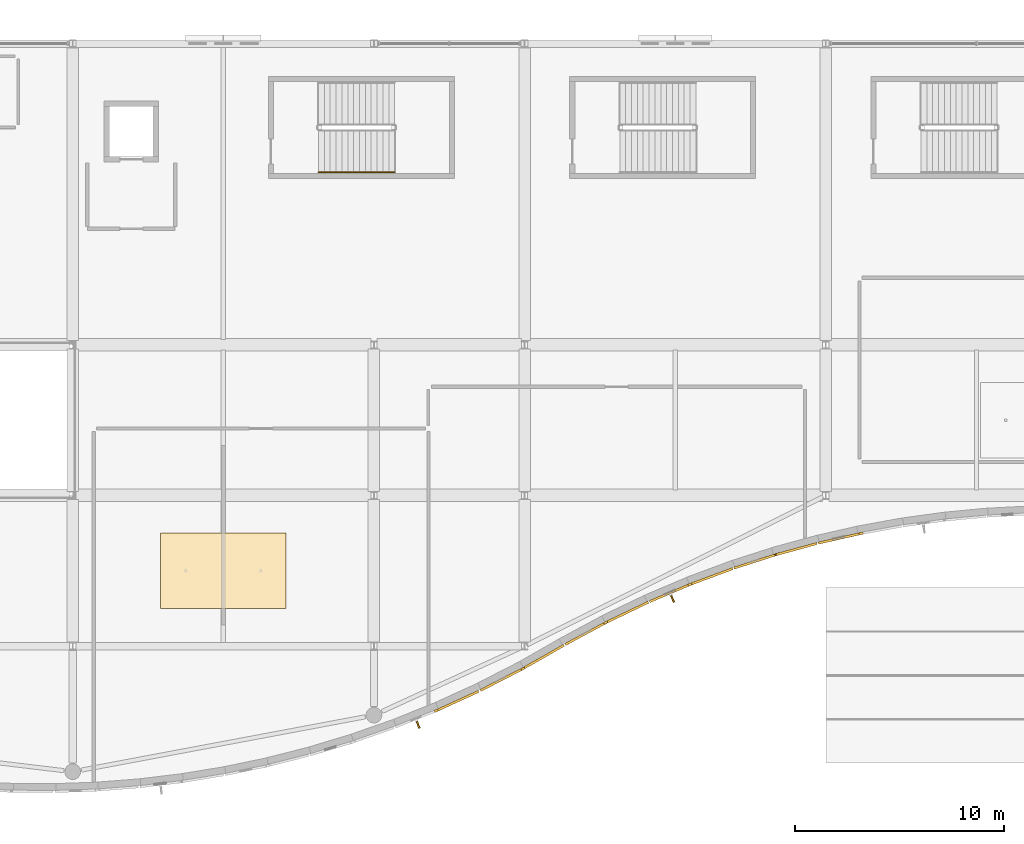
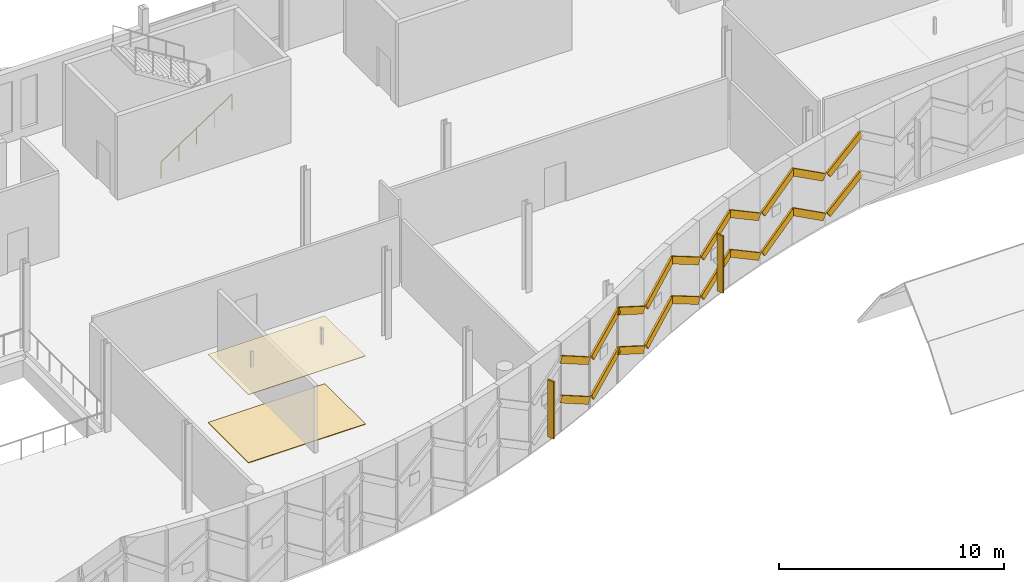
# One storey, part 175 of 193: 22 coverings, 2 shading devices, 1 railing.
"""IFC4 building model written with IfcOpenShell, lengths in metres."""

import ifcopenshell
import ifcopenshell.guid

model = None  # the IFC model being written
_history = None  # IfcOwnerHistory: only IFC2X3 demands one
_inside = {}  # id of a spatial element -> (the spatial element, [elements in it])
_under = {}  # id of a project, library or spatial element -> (it, [spatial elements below it])
_declared = {}  # id of a project -> (the project, [libraries it declares])
_typed = {}  # id of a type object -> (the type object, [elements of that type])
_made_of = {}  # id of a material, layer set ... -> (it, [elements and type objects made of it])


def new_model(schema):
    """Start an empty IFC model of exactly this schema.

    Asked for "IFC4X3", IfcOpenShell would pick the latest addendum, in which some entities
    have other attributes; the version numbers below select the first issue.
    IFC2X3 requires an IfcOwnerHistory on every rooted entity: one is made here for all.
    """
    global model, _history
    if schema == "IFC4X3":
        model = ifcopenshell.file(schema_version=(4, 3, 0, 0))
    else:
        model = ifcopenshell.file(schema=schema)
    _inside.clear()
    _under.clear()
    _declared.clear()
    _typed.clear()
    _made_of.clear()
    _history = None
    if model.schema == "IFC2X3":
        org = make("IfcOrganization", Name="unknown")
        user = make(
            "IfcPersonAndOrganization",
            ThePerson=make("IfcPerson", FamilyName="unknown"),
            TheOrganization=org,
        )
        app = make(
            "IfcApplication",
            ApplicationDeveloper=org,
            Version="unknown",
            ApplicationFullName="unknown",
            ApplicationIdentifier="unknown",
        )
        _history = make(
            "IfcOwnerHistory",
            OwningUser=user,
            OwningApplication=app,
            ChangeAction="ADDED",
            CreationDate=0,
        )
    return model


def make(cls, **values):
    """One entity of the class cls with the attributes given. An attribute that is None is left unset."""
    return model.create_entity(
        cls, **{name: value for name, value in values.items() if value is not None}
    )


def rooted(cls, **values):
    """An entity with a GlobalId (a new one), such as an element, a storey or a relation."""
    return make(cls, GlobalId=ifcopenshell.guid.new(), OwnerHistory=_history, **values)


def si_unit(unit_type, name, prefix=None):
    """IfcSIUnit, for example si_unit("LENGTHUNIT", "METRE", prefix="MILLI")."""
    return make("IfcSIUnit", UnitType=unit_type, Prefix=prefix, Name=name)


def assignment(units):
    """IfcUnitAssignment: the units of a project."""
    return None if units is None else make("IfcUnitAssignment", Units=units)


def point(xyz):
    """IfcCartesianPoint."""
    return None if xyz is None else make("IfcCartesianPoint", Coordinates=xyz)


def direction(xyz):
    """IfcDirection."""
    return None if xyz is None else make("IfcDirection", DirectionRatios=xyz)


def frame(location, z_axis=None, x_axis=None):
    """IfcAxis2Placement3D, a coordinate frame: its origin and axes. An axis left out is left unset."""
    return make(
        "IfcAxis2Placement3D",
        Location=point(location),
        Axis=direction(z_axis),
        RefDirection=direction(x_axis),
    )


def frame_2d(location, x_axis=None):
    """IfcAxis2Placement2D, a coordinate frame in the plane: its origin and x axis."""
    return make(
        "IfcAxis2Placement2D", Location=point(location), RefDirection=direction(x_axis)
    )


def origin():
    """The frame at (0, 0, 0) with its axes left unset."""
    return frame((0.0, 0.0, 0.0))


def origin_2d():
    """The frame at (0, 0) in the plane with its x axis left unset."""
    return frame_2d((0.0, 0.0))


def place(relative_to, where):
    """IfcLocalPlacement: puts the frame where relative to a parent placement (None: the world)."""
    return make(
        "IfcLocalPlacement", PlacementRelTo=relative_to, RelativePlacement=where
    )


def context(
    kind, dimensions, precision=None, world=None, true_north=None, identifier=None
):
    """IfcGeometricRepresentationContext, for example the 3D "Model" context."""
    return make(
        "IfcGeometricRepresentationContext",
        ContextIdentifier=identifier,
        ContextType=kind,
        CoordinateSpaceDimension=dimensions,
        Precision=precision,
        WorldCoordinateSystem=world,
        TrueNorth=true_north,
    )


def subcontext(parent, identifier, kind, view, scale=None):
    """IfcGeometricRepresentationSubContext, for example "Body" below "Model"."""
    return make(
        "IfcGeometricRepresentationSubContext",
        ContextIdentifier=identifier,
        ContextType=kind,
        ParentContext=parent,
        TargetScale=scale,
        TargetView=view,
    )


def project(units=None, contexts=None):
    """IfcProject with its units and contexts."""
    return rooted(
        "IfcProject",
        Name="project",
        RepresentationContexts=contexts,
        UnitsInContext=assignment(units),
    )


def spatial(cls, under=None, at=None, **own):
    """A site, building, storey or space (cls), placed at a placement, below another one or the project."""
    s = rooted(cls, ObjectPlacement=at, **own)
    if under is not None:
        _under.setdefault(under.id(), (under, []))[1].append(s)
    return s


def polyline(points):
    """IfcPolyline through the points."""
    return make("IfcPolyline", Points=[point(p) for p in points])


def profile(cls, at=None, kind="AREA", **sizes):
    """A parametric profile (cls). Its sizes go by their IFC names, for example OverallWidth=200.0."""
    return make(cls, ProfileType=kind, Position=at, **sizes)


def rectangle(**sizes):
    """IfcRectangleProfileDef."""
    return profile("IfcRectangleProfileDef", **sizes)


def circle(**sizes):
    """IfcCircleProfileDef."""
    return profile("IfcCircleProfileDef", **sizes)


def outline(outer, holes=None, kind="AREA"):
    """IfcArbitraryClosedProfileDef: a profile drawn as a closed curve; with holes, ...WithVoids."""
    if holes is None:
        return make("IfcArbitraryClosedProfileDef", ProfileType=kind, OuterCurve=outer)
    return make(
        "IfcArbitraryProfileDefWithVoids",
        ProfileType=kind,
        OuterCurve=outer,
        InnerCurves=holes,
    )


def extrude(swept, where, along, depth):
    """IfcExtrudedAreaSolid: the profile swept, set in the frame where, extruded along a direction by depth."""
    return make(
        "IfcExtrudedAreaSolid",
        SweptArea=swept,
        Position=where,
        ExtrudedDirection=direction(along),
        Depth=depth,
    )


def shape(context_of_items, identifier, shape_type, items):
    """IfcShapeRepresentation: the items that make up one representation, for example the "Body"."""
    return make(
        "IfcShapeRepresentation",
        ContextOfItems=context_of_items,
        RepresentationIdentifier=identifier,
        RepresentationType=shape_type,
        Items=items,
    )


def material(Name=None, Category=None):
    """IfcMaterial."""
    return make("IfcMaterial", Name=Name, Category=Category)


def layer(
    of_material, thickness, ventilated=None, Name=None, Category=None, Priority=None
):
    """IfcMaterialLayer: one layer of a wall or slab, of a material (None: an air gap)."""
    return make(
        "IfcMaterialLayer",
        Material=of_material,
        LayerThickness=thickness,
        IsVentilated=ventilated,
        Name=Name,
        Category=Category,
        Priority=Priority,
    )


def layer_set(layers, Name=None):
    """IfcMaterialLayerSet."""
    return make("IfcMaterialLayerSet", MaterialLayers=layers, LayerSetName=Name)


def made_of(thing, what):
    """Note that an element or type object is made of a material, layer set ...; save() writes the relation."""
    if what is not None:
        _made_of.setdefault(what.id(), (what, []))[1].append(thing)
    return thing


def type_object(cls, material=None, **own):
    """A type object (cls), such as IfcWallType, which elements share."""
    return made_of(rooted(cls, **own), material)


def element(
    cls,
    number,
    at=None,
    inside=None,
    cuts=None,
    type_object=None,
    material=None,
    context=None,
    identifier="Body",
    shape_type=None,
    held_by="IfcProductDefinitionShape",
    body=None,
    shapes=None,
    **own,
):
    """One element of the class cls, such as IfcWall. Its Tag is "e" and its number.

    at: its placement. inside: the storey or other place that contains it. cuts: it is an
    opening in that element (IfcRelVoidsElement). A single representation is given by context,
    identifier, shape_type and body (its items); several are given by shapes. held_by: the class
    of the entity that holds the representations. save() writes the other relations.
    """
    e = rooted(cls, Tag="e%d" % number, ObjectPlacement=at, **own)
    if body is not None:
        shapes = [shape(context, identifier, shape_type, body)]
    if shapes is not None:
        e.Representation = make(held_by, Representations=shapes)
    if inside is not None:
        _inside.setdefault(inside.id(), (inside, []))[1].append(e)
    if cuts is not None:
        rooted(
            "IfcRelVoidsElement", RelatingBuildingElement=cuts, RelatedOpeningElement=e
        )
    if type_object is not None:
        _typed.setdefault(type_object.id(), (type_object, []))[1].append(e)
    return made_of(e, material)


def aggregate(whole, parts):
    """IfcRelAggregates: a whole, such as a stair, and the parts it consists of."""
    return rooted("IfcRelAggregates", RelatingObject=whole, RelatedObjects=parts)


def save(model, path):
    """Write the relations noted so far, then the file.

    IfcRelAggregates (storeys below a building ...), IfcRelContainedInSpatialStructure (elements
    in a storey), IfcRelDefinesByType, IfcRelAssociatesMaterial and IfcRelDeclares: one each for
    every whole, place, type object, material and project.
    """
    for whole, parts in _under.values():
        aggregate(whole, parts)
    for where, things in _inside.values():
        rooted(
            "IfcRelContainedInSpatialStructure",
            RelatedElements=things,
            RelatingStructure=where,
        )
    for kind, things in _typed.values():
        rooted("IfcRelDefinesByType", RelatedObjects=things, RelatingType=kind)
    for what, things in _made_of.values():
        rooted("IfcRelAssociatesMaterial", RelatedObjects=things, RelatingMaterial=what)
    for by, libraries in _declared.values():
        rooted("IfcRelDeclares", RelatingContext=by, RelatedDefinitions=libraries)
    model.write(path)


model = new_model("IFC4")

# Units and contexts
model_context = context("Model", 3, precision=1e-05, world=origin(), true_north=direction((0.0, 1.0)))
body_context = subcontext(model_context, "Body", "Model", "MODEL_VIEW")
ifc_project = project(units=[si_unit("LENGTHUNIT", "METRE"), si_unit("AREAUNIT", "SQUARE_METRE"), si_unit("VOLUMEUNIT", "CUBIC_METRE"), si_unit("PLANEANGLEUNIT", "RADIAN"), si_unit("MASSUNIT", "GRAM", prefix="KILO")], contexts=[model_context])

# Site, building, storey
site_placement = place(None, origin())
site = spatial("IfcSite", under=ifc_project, at=site_placement, CompositionType="ELEMENT")
building_placement = place(site_placement, origin())
building = spatial("IfcBuilding", under=site, at=building_placement, Name="Cendralis Lancet Convention Centre", CompositionType="ELEMENT")
storey_placement = place(building_placement, frame((0.0, 0.0, 10.199951171875)))
storey = spatial("IfcBuildingStorey", under=building, at=storey_placement, Name="L02", CompositionType="ELEMENT", Elevation=10.199951171875)

# Coverings
ifc_material_1 = material(Name="Warm buff sandstone chevron cassette", Category="masonry")
ifc_layer_1 = layer(ifc_material_1, 0.06005859375, Name="Warm buff sandstone chevron cassette")
ifc_layer_set_1 = layer_set([ifc_layer_1], Name="Warm buff sandstone chevron cassette")
covering_type_1 = type_object("IfcCoveringType", Name="ARC-CV-CLAD1", PredefinedType="CLADDING", material=ifc_layer_set_1)
covering_1_placement = place(storey_placement, frame((75.080322265625, 4.096435546875, 2.0), z_axis=(0.471515128784, 0.215056900201, 0.855233309106), x_axis=(0.77819199137, 0.354741096616, -0.518243165839)))
element("IfcCovering", 1, at=covering_1_placement, inside=storey, type_object=covering_type_1, Name="L02 Diagonal Stone Chevron Relief CL-ST1 #0225", PredefinedType="CLADDING", context=body_context, shape_type="SweptSolid", body=[
    extrude(outline(polyline([(0.0, 0.0), (2.5085691694957983, 1.49890950346121e-17), (2.5085501136428876, 0.11001752245332676), (-1.9055852910551674e-05, 0.11001752245332683), (0.0, 0.0)])), origin(), (0.0, 0.0, -1.0), 0.360107421875),
])
covering_2_placement = place(storey_placement, frame((77.115478515625, 5.026611328125, 0.699951171875), z_axis=(-0.453169211668, -0.232525026212, 0.860563639588), x_axis=(0.765535340132, 0.393097238093, 0.509342914364)))
element("IfcCovering", 2, at=covering_2_placement, inside=storey, type_object=covering_type_1, Name="L02 Diagonal Stone Chevron Relief CL-ST1 #0231", PredefinedType="CLADDING", context=body_context, shape_type="SweptSolid", body=[
    extrude(outline(polyline([(0.0, 0.0), (2.552545295401891, -1.2378878304353247e-16), (2.5524326526210803, 0.10984582912053485), (0.00017022650098245246, 0.10995151521454635), (0.0, 0.0)])), origin(), (0.0, 0.0, -1.0), 0.360107421875),
])
covering_3_placement = place(storey_placement, frame((79.14990234375, 6.073486328125, 2.0), z_axis=(0.434530834935, 0.247510539439, 0.865980072725), x_axis=(0.75221047519, 0.429069874385, -0.500078437758)))
element("IfcCovering", 3, at=covering_3_placement, inside=storey, type_object=covering_type_1, Name="L02 Diagonal Stone Chevron Relief CL-ST1 #0237", PredefinedType="CLADDING", context=body_context, shape_type="SweptSolid", body=[
    extrude(outline(polyline([(0.0, 0.0), (2.5997421492661177, -8.164042358815848e-17), (2.5997478584744025, 0.10989311230682211), (0.00011046259558545463, 0.11010519697066531), (0.0, 0.0)])), origin(), (0.0, 0.0, -1.0), 0.360107421875),
])
covering_4_placement = place(storey_placement, frame((81.169921875, 7.224609375, 0.699951171875), z_axis=(-0.445062800248, -0.239087960789, 0.862992497558), x_axis=(0.759559769537, 0.409665147582, 0.505216214465)))
element("IfcCovering", 4, at=covering_4_placement, inside=storey, type_object=covering_type_1, Name="L02 Diagonal Stone Chevron Relief CL-ST1 #0243", PredefinedType="CLADDING", context=body_context, shape_type="SweptSolid", body=[
    extrude(outline(polyline([(0.0, 0.0), (2.5733022373520664, -1.0061396160665481e-16), (2.573409944268875, 0.10977774205792602), (0.0002077228219798527, 0.10999267060423891), (0.0, 0.0)])), origin(), (0.0, 0.0, -1.0), 0.360107421875),
])
covering_5_placement = place(storey_placement, frame((83.184814453125, 8.309326171875, 2.0), z_axis=(0.463830927058, 0.222501920729, 0.857527705894), x_axis=(0.773135261719, 0.37096581402, -0.514437782356)))
element("IfcCovering", 5, at=covering_5_placement, inside=storey, type_object=covering_type_1, Name="L02 Diagonal Stone Chevron Relief CL-ST1 #0249", PredefinedType="CLADDING", context=body_context, shape_type="SweptSolid", body=[
    extrude(outline(polyline([(0.0, 0.0), (2.527170755961594, 1.4747860051234074e-16), (2.5271343166199913, 0.1099611557698517), (5.412848408579973e-05, 0.11018127223978118), (0.0, 0.0)])), origin(), (0.0, 0.0, -1.0), 0.360107421875),
])
covering_6_placement = place(storey_placement, frame((85.2001953125, 9.274658203125, 0.699951171875), z_axis=(-0.481390240881, -0.204155861193, 0.852398862227), x_axis=(0.784878225092, 0.332490638078, 0.522892099163)))
element("IfcCovering", 6, at=covering_6_placement, inside=storey, type_object=covering_type_1, Name="L02 Diagonal Stone Chevron Relief CL-ST1 #0255", PredefinedType="CLADDING", context=body_context, shape_type="SweptSolid", body=[
    extrude(outline(polyline([(0.0, 0.0), (2.4862659623375394, 2.4069288229178198e-17), (2.486228132060779, 0.11005326888318359), (-3.783027676055456e-05, 0.11005326888318362), (0.0, 0.0)])), origin(), (0.0, 0.0, -1.0), 0.360107421875),
])
covering_7_placement = place(storey_placement, frame((87.21484375, 10.12646484375, 2.0), z_axis=(0.496802331146, 0.18461057039, 0.84800140393), x_axis=(0.794957441953, 0.295210189274, -0.529993971317)))
element("IfcCovering", 7, at=covering_7_placement, inside=storey, type_object=covering_type_1, Name="L02 Diagonal Stone Chevron Relief CL-ST1 #0261", PredefinedType="CLADDING", context=body_context, shape_type="SweptSolid", body=[
    extrude(outline(polyline([(0.0, 0.0), (2.4529141619942028, 6.020032562725763e-17), (2.4529301755870803, 0.11015531584904076), (-5.605920723799132e-05, 0.10992645177011376), (0.0, 0.0)])), origin(), (0.0, 0.0, -1.0), 0.360107421875),
])
covering_8_placement = place(storey_placement, frame((89.229248046875, 10.873046875, 0.699951171875), z_axis=(-0.510369094256, -0.164174673677, 0.844138652208), x_axis=(0.80363363446, 0.258346768482, 0.536124919005)))
element("IfcCovering", 8, at=covering_8_placement, inside=storey, type_object=covering_type_1, Name="L02 Diagonal Stone Chevron Relief CL-ST1 #0267", PredefinedType="CLADDING", context=body_context, shape_type="SweptSolid", body=[
    extrude(outline(polyline([(0.0, 0.0), (2.4248990898176555, 1.1221492485224971e-17), (2.424881834476677, 0.11002185685791445), (-1.7255340978114542e-05, 0.11002185685791444), (0.0, 0.0)])), origin(), (0.0, 0.0, -1.0), 0.360107421875),
])
covering_9_placement = place(storey_placement, frame((91.243408203125, 11.518798828125, 2.0), z_axis=(0.522089233739, 0.142224308501, 0.840948915265), x_axis=(0.811166937648, 0.221818556948, -0.541114338251)))
element("IfcCovering", 9, at=covering_9_placement, inside=storey, type_object=covering_type_1, Name="L02 Diagonal Stone Chevron Relief CL-ST1 #0273", PredefinedType="CLADDING", context=body_context, shape_type="SweptSolid", body=[
    extrude(outline(polyline([(0.0, 0.0), (2.402639019591153, 1.1622647289044608e-16), (2.4026297927093947, 0.11010334298029256), (0.00018881192137900835, 0.11003901249019758), (0.0, 0.0)])), origin(), (0.0, 0.0, -1.0), 0.360107421875),
])
covering_10_placement = place(storey_placement, frame((93.258544921875, 12.068359375, 0.699951171875), z_axis=(-0.532354053644, -0.119915930172, 0.837985281052), x_axis=(0.81724675138, 0.185276760424, 0.545692467792)))
element("IfcCovering", 10, at=covering_10_placement, inside=storey, type_object=covering_type_1, Name="L02 Diagonal Stone Chevron Relief CL-ST1 #0279", PredefinedType="CLADDING", context=body_context, shape_type="SweptSolid", body=[
    extrude(outline(polyline([(0.0, 0.0), (2.3824061562739045, -3.881443777498106e-17), (2.382510909555075, 0.10986919805694208), (0.0001499868652585952, 0.11010731874686307), (0.0, 0.0)])), origin(), (0.0, 0.0, -1.0), 0.360107421875),
])
ifc_material_2 = material(Name="Dark Andean slate chevron cassette", Category="masonry")
ifc_layer_2 = layer(ifc_material_2, 0.06005859375, Name="Dark Andean slate chevron cassette")
ifc_layer_set_2 = layer_set([ifc_layer_2], Name="Dark Andean slate chevron cassette")
covering_type_2 = type_object("IfcCoveringType", Name="ARC-CV-CLAD2", PredefinedType="CLADDING", material=ifc_layer_set_2)
covering_11_placement = place(storey_placement, frame((75.080322265625, 4.096435546875, 4.150146484375), z_axis=(0.471515128784, 0.215056900201, 0.855233309106), x_axis=(0.77819199137, 0.354741096616, -0.518243165839)))
element("IfcCovering", 11, at=covering_11_placement, inside=storey, type_object=covering_type_2, Name="L02 Diagonal Stone Chevron Relief CL-ST2 #0226", PredefinedType="CLADDING", context=body_context, shape_type="SweptSolid", body=[
    extrude(outline(polyline([(0.0, 0.0), (2.5085691694957983, 1.49890950346121e-17), (2.5085501136428876, 0.11001752245332676), (-1.9055852910551674e-05, 0.11001752245332683), (0.0, 0.0)])), origin(), (0.0, 0.0, -1.0), 0.360107421875),
])
covering_12_placement = place(storey_placement, frame((77.115478515625, 5.026611328125, 2.85009765625), z_axis=(-0.453169211668, -0.232525026212, 0.860563639588), x_axis=(0.765535340132, 0.393097238093, 0.509342914364)))
element("IfcCovering", 12, at=covering_12_placement, inside=storey, type_object=covering_type_2, Name="L02 Diagonal Stone Chevron Relief CL-ST2 #0232", PredefinedType="CLADDING", context=body_context, shape_type="SweptSolid", body=[
    extrude(outline(polyline([(0.0, 0.0), (2.552545295401891, -1.2378878304353247e-16), (2.5524326526210803, 0.10984582912053485), (0.00017022650098245246, 0.10995151521454635), (0.0, 0.0)])), origin(), (0.0, 0.0, -1.0), 0.360107421875),
])
covering_13_placement = place(storey_placement, frame((79.14990234375, 6.073486328125, 4.150146484375), z_axis=(0.434530834935, 0.247510539439, 0.865980072725), x_axis=(0.75221047519, 0.429069874385, -0.500078437758)))
element("IfcCovering", 13, at=covering_13_placement, inside=storey, type_object=covering_type_2, Name="L02 Diagonal Stone Chevron Relief CL-ST2 #0238", PredefinedType="CLADDING", context=body_context, shape_type="SweptSolid", body=[
    extrude(outline(polyline([(0.0, 0.0), (2.5997421492661177, -8.164042358815848e-17), (2.5997478584744025, 0.10989311230682211), (0.00011046259558545463, 0.11010519697066531), (0.0, 0.0)])), origin(), (0.0, 0.0, -1.0), 0.360107421875),
])
covering_14_placement = place(storey_placement, frame((81.169921875, 7.224609375, 2.85009765625), z_axis=(-0.445062800248, -0.239087960789, 0.862992497558), x_axis=(0.759559769537, 0.409665147582, 0.505216214465)))
element("IfcCovering", 14, at=covering_14_placement, inside=storey, type_object=covering_type_2, Name="L02 Diagonal Stone Chevron Relief CL-ST2 #0244", PredefinedType="CLADDING", context=body_context, shape_type="SweptSolid", body=[
    extrude(outline(polyline([(0.0, 0.0), (2.5733022373520664, -1.0061396160665481e-16), (2.573409944268875, 0.10977774205792602), (0.0002077228219798527, 0.10999267060423891), (0.0, 0.0)])), origin(), (0.0, 0.0, -1.0), 0.360107421875),
])
covering_15_placement = place(storey_placement, frame((83.184814453125, 8.309326171875, 4.150146484375), z_axis=(0.463830927058, 0.222501920729, 0.857527705894), x_axis=(0.773135261719, 0.37096581402, -0.514437782356)))
element("IfcCovering", 15, at=covering_15_placement, inside=storey, type_object=covering_type_2, Name="L02 Diagonal Stone Chevron Relief CL-ST2 #0250", PredefinedType="CLADDING", context=body_context, shape_type="SweptSolid", body=[
    extrude(outline(polyline([(0.0, 0.0), (2.527170755961594, 1.4747860051234074e-16), (2.5271343166199913, 0.1099611557698517), (5.412848408579973e-05, 0.11018127223978118), (0.0, 0.0)])), origin(), (0.0, 0.0, -1.0), 0.360107421875),
])
covering_16_placement = place(storey_placement, frame((85.2001953125, 9.274658203125, 2.85009765625), z_axis=(-0.481390240881, -0.204155861193, 0.852398862227), x_axis=(0.784878225092, 0.332490638078, 0.522892099163)))
element("IfcCovering", 16, at=covering_16_placement, inside=storey, type_object=covering_type_2, Name="L02 Diagonal Stone Chevron Relief CL-ST2 #0256", PredefinedType="CLADDING", context=body_context, shape_type="SweptSolid", body=[
    extrude(outline(polyline([(0.0, 0.0), (2.4862659623375394, 2.4069288229178198e-17), (2.486228132060779, 0.11005326888318359), (-3.783027676055456e-05, 0.11005326888318362), (0.0, 0.0)])), origin(), (0.0, 0.0, -1.0), 0.360107421875),
])
covering_17_placement = place(storey_placement, frame((87.21484375, 10.12646484375, 4.150146484375), z_axis=(0.496802331146, 0.18461057039, 0.84800140393), x_axis=(0.794957441953, 0.295210189274, -0.529993971317)))
element("IfcCovering", 17, at=covering_17_placement, inside=storey, type_object=covering_type_2, Name="L02 Diagonal Stone Chevron Relief CL-ST2 #0262", PredefinedType="CLADDING", context=body_context, shape_type="SweptSolid", body=[
    extrude(outline(polyline([(0.0, 0.0), (2.4529141619942028, 6.020032562725763e-17), (2.4529301755870803, 0.11015531584904076), (-5.605920723799132e-05, 0.10992645177011376), (0.0, 0.0)])), origin(), (0.0, 0.0, -1.0), 0.360107421875),
])
covering_18_placement = place(storey_placement, frame((89.229248046875, 10.873046875, 2.85009765625), z_axis=(-0.510369094256, -0.164174673677, 0.844138652208), x_axis=(0.80363363446, 0.258346768482, 0.536124919005)))
element("IfcCovering", 18, at=covering_18_placement, inside=storey, type_object=covering_type_2, Name="L02 Diagonal Stone Chevron Relief CL-ST2 #0268", PredefinedType="CLADDING", context=body_context, shape_type="SweptSolid", body=[
    extrude(outline(polyline([(0.0, 0.0), (2.4248990898176555, 1.1221492485224971e-17), (2.424881834476677, 0.11002185685791445), (-1.7255340978114542e-05, 0.11002185685791444), (0.0, 0.0)])), origin(), (0.0, 0.0, -1.0), 0.360107421875),
])
covering_19_placement = place(storey_placement, frame((91.243408203125, 11.518798828125, 4.150146484375), z_axis=(0.522089233739, 0.142224308501, 0.840948915265), x_axis=(0.811166937648, 0.221818556948, -0.541114338251)))
element("IfcCovering", 19, at=covering_19_placement, inside=storey, type_object=covering_type_2, Name="L02 Diagonal Stone Chevron Relief CL-ST2 #0274", PredefinedType="CLADDING", context=body_context, shape_type="SweptSolid", body=[
    extrude(outline(polyline([(0.0, 0.0), (2.402639019591153, 1.1622647289044608e-16), (2.4026297927093947, 0.11010334298029256), (0.00018881192137900835, 0.11003901249019758), (0.0, 0.0)])), origin(), (0.0, 0.0, -1.0), 0.360107421875),
])
covering_20_placement = place(storey_placement, frame((93.258544921875, 12.068359375, 2.85009765625), z_axis=(-0.532354053644, -0.119915930172, 0.837985281052), x_axis=(0.81724675138, 0.185276760424, 0.545692467792)))
element("IfcCovering", 20, at=covering_20_placement, inside=storey, type_object=covering_type_2, Name="L02 Diagonal Stone Chevron Relief CL-ST2 #0280", PredefinedType="CLADDING", context=body_context, shape_type="SweptSolid", body=[
    extrude(outline(polyline([(0.0, 0.0), (2.3824061562739045, -3.881443777498106e-17), (2.382510909555075, 0.10986919805694208), (0.0001499868652585952, 0.11010731874686307), (0.0, 0.0)])), origin(), (0.0, 0.0, -1.0), 0.360107421875),
])
ifc_material_3 = material(Name="Perforated acoustic mineral-wood ceiling", Category="wood")
ifc_layer_3 = layer(ifc_material_3, 0.030029296875, Name="Perforated acoustic mineral-wood ceiling")
ifc_layer_set_3 = layer_set([ifc_layer_3], Name="Perforated acoustic mineral-wood ceiling")
covering_type_3 = type_object("IfcCoveringType", Name="ARC-CV-CLG1", PredefinedType="CEILING", material=ifc_layer_set_3)
covering_21_placement = place(storey_placement, frame((0.0, 0.0, 3.68994140625)))
element("IfcCovering", 21, at=covering_21_placement, inside=storey, type_object=covering_type_3, Name="L02 Acoustic Suspended Ceiling CL-ACS #09", PredefinedType="CEILING", context=body_context, shape_type="SweptSolid", body=[
    extrude(outline(polyline([(61.800048828125, 9.0), (67.800048828125, 9.0), (67.800048828125, 12.60009765625), (61.800048828125, 12.60009765625), (61.800048828125, 9.0)])), origin(), (0.0, 0.0, 1.0), 0.030029296875),
])
ifc_material_4 = material(Name="Polished Andean granite terrazzo flooring", Category="masonry")
ifc_layer_4 = layer(ifc_material_4, 0.030029296875, Name="Polished Andean granite terrazzo flooring")
ifc_layer_set_4 = layer_set([ifc_layer_4], Name="Polished Andean granite terrazzo flooring")
covering_type_4 = type_object("IfcCoveringType", Name="ARC-CV-FLR1", PredefinedType="FLOORING", material=ifc_layer_set_4)
covering_22_placement = place(storey_placement, origin())
element("IfcCovering", 22, at=covering_22_placement, inside=storey, type_object=covering_type_4, Name="L02 Terrazzo Concourse Flooring FL-TRZ #09", PredefinedType="FLOORING", context=body_context, shape_type="SweptSolid", body=[
    extrude(outline(polyline([(61.800048828125, 9.0), (67.800048828125, 9.0), (67.800048828125, 12.60009765625), (61.800048828125, 12.60009765625), (61.800048828125, 9.0)])), origin(), (0.0, 0.0, 1.0), 0.030029296875),
])

# Railing
ifc_material_5 = material(Name="Steel S355", Category="steel")
railing_type = type_object("IfcRailingType", Name="ARC-RL-CHR", PredefinedType="HANDRAIL", material=ifc_material_5)
railing_placement = place(storey_placement, frame((69.35009765625, 29.85009765625, 0.17138671875)))
element("IfcRailing", 23, at=railing_placement, inside=storey, type_object=railing_type, Name="L02 ST-12 stair handrail 1", PredefinedType="HANDRAIL", context=body_context, shape_type="SweptSolid", body=[
    extrude(circle(Radius=0.02392578125, at=origin_2d()), frame((0.0, 0.0, 0.8759765625), z_axis=(0.834839479206, 0.0, 0.550493454965), x_axis=(0.0, 1.0, 0.0)), (0.0, 0.0, 1.0), 4.360107421875),
    extrude(circle(Radius=0.02099609375, at=origin_2d()), origin(), (0.0, 0.0, 1.0), 0.851806640625),
    extrude(circle(Radius=0.02099609375, at=origin_2d()), frame((0.909912109375, 0.0, 0.60009765625)), (0.0, 0.0, 1.0), 0.851806640625),
    extrude(circle(Radius=0.02099609375, at=origin_2d()), frame((1.81982421875, 0.0, 1.2001953125)), (0.0, 0.0, 1.0), 0.851806640625),
    extrude(circle(Radius=0.02099609375, at=origin_2d()), frame((2.72998046875, 0.0, 1.800048828125)), (0.0, 0.0, 1.0), 0.851806640625),
    extrude(circle(Radius=0.02099609375, at=origin_2d()), frame((3.639892578125, 0.0, 2.400146484375)), (0.0, 0.0, 1.0), 0.851806640625),
])

# Shading devices
ifc_material_6 = material(Name="Anodised bronze architectural aluminium", Category="aluminium")
shading_device_type = type_object("IfcShadingDeviceType", Name="ARC-SH-FIN1", PredefinedType="USERDEFINED", material=ifc_material_6)
for number, where, z_axis, x_axis, name in (
    (24, (74.11474609375, 3.431884765625, 0.449951171875), (0.0, 0.0, 1.0), (0.928063926041, 0.372420930105, 0.0), "Anodised Bronze Lancet Solar Fin SF-01 #014"),
    (25, (86.275390625, 9.453125, 0.449951171875), (0.0, 0.0, 1.0), (0.920756984653, 0.390136610961, 0.0), "Anodised Bronze Lancet Solar Fin SF-01 #016"),
):
    element("IfcShadingDevice", number, at=place(storey_placement, frame(where, z_axis=z_axis, x_axis=x_axis)), inside=storey, type_object=shading_device_type, Name=name, ObjectType="FIN", PredefinedType="USERDEFINED", context=body_context, shape_type="SweptSolid", body=[
        extrude(rectangle(XDim=0.080078125, YDim=0.340087890625, at=origin_2d()), origin(), (0.0, 0.0, 1.0), 3.10009765625),
    ])

save(model, "model.ifc")
